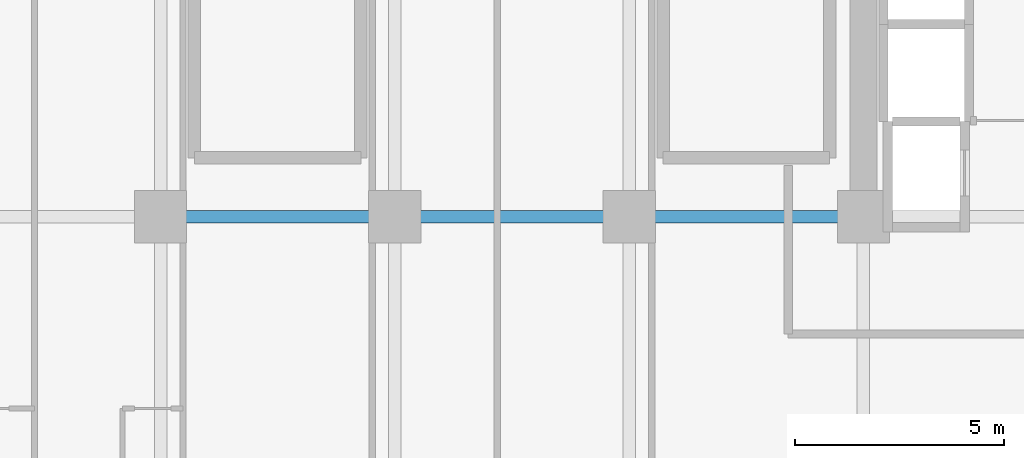
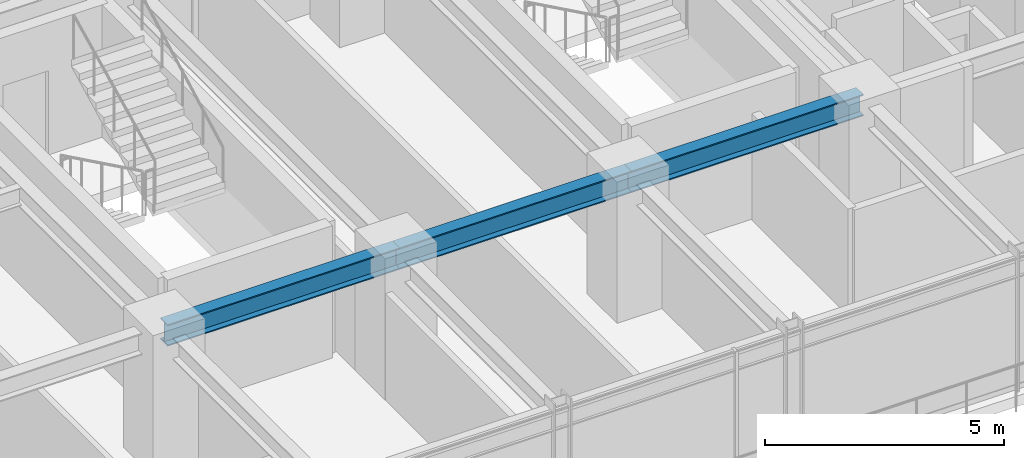
# One storey, part 6 of 34: 3 beams.
"""IFC4 building model written with IfcOpenShell, lengths in metres."""

from ifc_helpers import new_model, si_unit, direction, frame, origin, origin_2d, place, context, subcontext, project, spatial, i_section, extrude, source, transform, mapped, material, material_profile, profile_set, type_object, element, save


model = new_model("IFC4")

# Units and contexts
model_context = context("Model", 3, precision=1e-05, world=origin(), true_north=direction((0.0, 1.0)))
body_context = subcontext(model_context, "Body", "Model", "MODEL_VIEW")
ifc_project = project(units=[si_unit("LENGTHUNIT", "METRE"), si_unit("AREAUNIT", "SQUARE_METRE"), si_unit("VOLUMEUNIT", "CUBIC_METRE"), si_unit("PLANEANGLEUNIT", "RADIAN"), si_unit("MASSUNIT", "GRAM", prefix="KILO")], contexts=[model_context])

# Site, building, storey
site_placement = place(None, origin())
site = spatial("IfcSite", under=ifc_project, at=site_placement, CompositionType="ELEMENT")
building_placement = place(site_placement, origin())
building = spatial("IfcBuilding", under=site, at=building_placement, Name="Nahalor Promenade Grand Hotel", CompositionType="ELEMENT")
storey_placement = place(building_placement, frame((0.0, 0.0, 88.300048828125)))
storey = spatial("IfcBuildingStorey", under=building, at=storey_placement, Name="L21", CompositionType="ELEMENT", Elevation=88.300048828125)

# Beams
ifc_material = material(Name="Steel S355JR", Category="steel")
ifc_material_profile = material_profile(ifc_material, i_section(OverallWidth=0.3, OverallDepth=0.55, WebThickness=0.015, FlangeThickness=0.029, at=origin_2d()), Name="HEB 550")
ifc_profile_set = profile_set([ifc_material_profile], Name="Steel S355JR")
beam_type = type_object("IfcBeamType", Name="Beam-Girder-HEB550", PredefinedType="BEAM", material=ifc_profile_set)
shared_shape_1 = source(origin(), body_context, "Body", "SweptSolid", [
    extrude(i_section(OverallWidth=0.3, OverallDepth=0.55, WebThickness=0.015, FlangeThickness=0.029, at=origin_2d()), origin(), (0.0, 0.0, 1.0), 5.599853515625),
])
for number, where, z_axis, x_axis, name in (
    (1, (-8.39990234375, -17.0, 3.10498046875), (1.0, 0.0, 0.0), (0.0, 1.0, 0.0), "BM-L21-GX-0-2"),
    (2, (2.800048828125, -17.0, 3.10498046875), (1.0, 0.0, 0.0), (0.0, 1.0, 0.0), "BM-L21-GX-0-4"),
):
    element("IfcBeam", number, at=place(storey_placement, frame(where, z_axis=z_axis, x_axis=x_axis)), inside=storey, type_object=beam_type, Name=name, PredefinedType="BEAM", context=body_context, shape_type="MappedRepresentation", body=[
        mapped(shared_shape_1, transform((0.0, 0.0, 0.0), scale=1.0)),
    ])
shared_shape_2 = source(origin(), body_context, "Body", "SweptSolid", [
    extrude(i_section(OverallWidth=0.3, OverallDepth=0.55, WebThickness=0.015, FlangeThickness=0.029, at=origin_2d()), origin(), (0.0, 0.0, 1.0), 5.60009765625),
])
beam_placement = place(storey_placement, frame((-2.800048828125, -17.0, 3.10498046875), z_axis=(1.0, 0.0, 0.0), x_axis=(0.0, 1.0, 0.0)))
element("IfcBeam", 3, at=beam_placement, inside=storey, type_object=beam_type, Name="BM-L21-GX-0-3", PredefinedType="BEAM", context=body_context, shape_type="MappedRepresentation", body=[
    mapped(shared_shape_2, transform((0.0, 0.0, 0.0), scale=1.0)),
])

save(model, "model.ifc")
